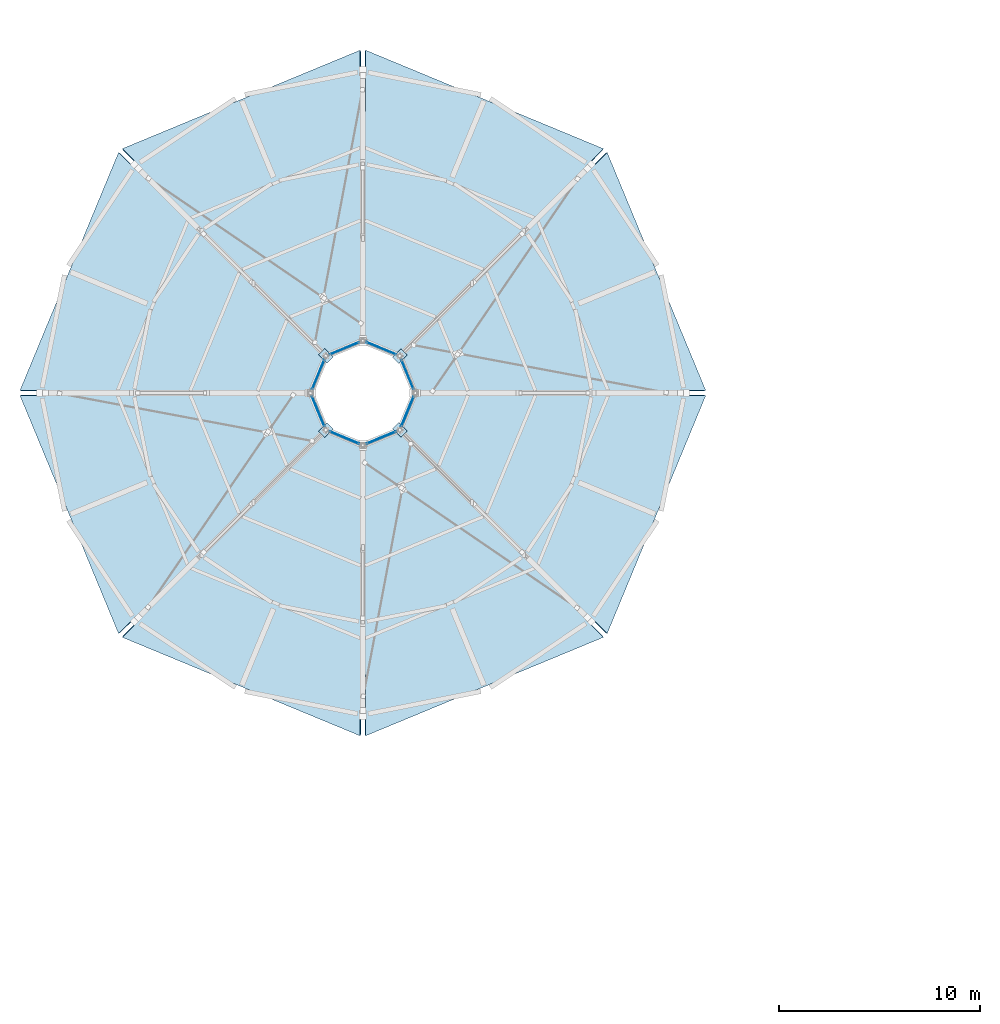
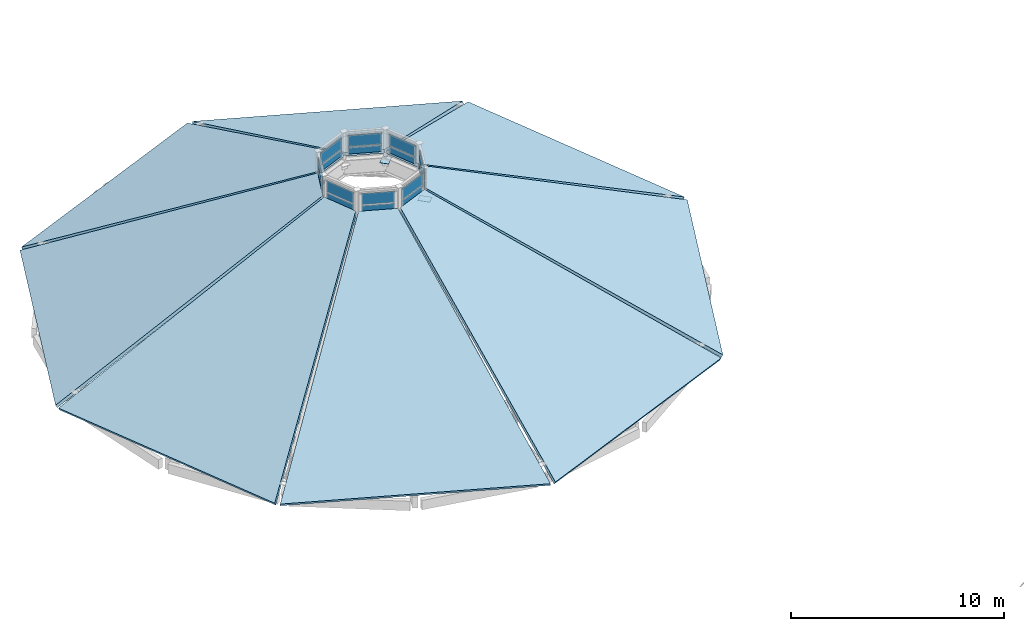
# One storey, part 45 of 66: 20 plates, 8 slabs, 9 elements without a shape of their own.
"""IFC4 building model written with IfcOpenShell, lengths in metres."""

from ifc_helpers import new_model, si_unit, direction, frame, origin, origin_2d, place, context, subcontext, project, spatial, polyline, rectangle, outline, extrude, material, layer, layer_set, type_object, element, aggregate, save


model = new_model("IFC4")

# Units and contexts
model_context = context("Model", 3, precision=1e-05, world=origin(), true_north=direction((0.0, 1.0)))
body_context = subcontext(model_context, "Body", "Model", "MODEL_VIEW")
ifc_project = project(units=[si_unit("LENGTHUNIT", "METRE"), si_unit("AREAUNIT", "SQUARE_METRE"), si_unit("VOLUMEUNIT", "CUBIC_METRE"), si_unit("PLANEANGLEUNIT", "RADIAN"), si_unit("MASSUNIT", "GRAM", prefix="KILO")], contexts=[model_context])

# Site, building, storey
site_placement = place(None, origin())
site = spatial("IfcSite", under=ifc_project, at=site_placement, CompositionType="ELEMENT")
building_placement = place(site_placement, origin())
building = spatial("IfcBuilding", under=site, at=building_placement, Name="Caldaven Crescent School", CompositionType="ELEMENT")
storey_placement = place(building_placement, frame((0.0, 0.0, 8.159912109375)))
storey = spatial("IfcBuildingStorey", under=building, at=storey_placement, Name="L02", CompositionType="ELEMENT", Elevation=8.159912109375)

# Curtain wall, plates
ifc_material_1 = material(Name="Anodised aluminium AA 6063-T6 and low-E double glazing", Category="aluminium")
ifc_layer_1 = layer(ifc_material_1, 0.2099609375)
ifc_layer_set_1 = layer_set([ifc_layer_1], Name="Anodised aluminium AA 6063-T6 and low-E double glazing")
curtain_wall_type_1 = type_object("IfcCurtainWallType", Name="CW-SYS3", PredefinedType="NOTDEFINED", material=ifc_layer_set_1)
curtain_wall_1_placement = place(storey_placement, origin())
curtain_wall_1 = element("IfcCurtainWall", 1, at=curtain_wall_1_placement, inside=storey, type_object=curtain_wall_type_1, Name="CW-L02-073", PredefinedType="NOTDEFINED")
ifc_material_2 = material(Name="Tempered low-E double glazing IGU", Category="glass")
ifc_layer_2 = layer(ifc_material_2, 0.028076171875)
ifc_layer_set_2 = layer_set([ifc_layer_2], Name="Tempered low-E double glazing IGU")
plate_type_1 = type_object("IfcPlateType", Name="PLT-CWP02", PredefinedType="CURTAIN_PANEL", material=ifc_layer_set_2)
plate_1_placement = place(storey_placement, frame((25.71923828125, 99.419189453125, 6.865234375), z_axis=(0.0, 0.0, 1.0), x_axis=(-0.382683210876, 0.923879624255, 0.0)))
plate_1 = element("IfcPlate", 2, at=plate_1_placement, type_object=plate_type_1, Name="CW3 panel 1.1", PredefinedType="CURTAIN_PANEL", context=body_context, shape_type="SweptSolid", body=[
    extrude(rectangle(XDim=1.570068359375, YDim=0.028076171875, at=origin_2d()), origin(), (0.0, 0.0, 1.0), 0.427490234375),
])
plate_2_placement = place(storey_placement, frame((25.71923828125, 99.419189453125, 7.357666015625), z_axis=(0.0, 0.0, 1.0), x_axis=(-0.382683210876, 0.923879624255, 0.0)))
plate_2 = element("IfcPlate", 3, at=plate_2_placement, type_object=plate_type_1, Name="CW3 panel 1.2", PredefinedType="CURTAIN_PANEL", context=body_context, shape_type="SweptSolid", body=[
    extrude(rectangle(XDim=1.570068359375, YDim=0.028076171875, at=origin_2d()), origin(), (0.0, 0.0, 1.0), 0.62744140625),
])
aggregate(curtain_wall_1, [plate_1, plate_2])

ifc_layer_3 = layer(ifc_material_1, 0.22998046875)
ifc_layer_set_3 = layer_set([ifc_layer_3], Name="Anodised aluminium AA 6063-T6 and low-E double glazing")
curtain_wall_type_2 = type_object("IfcCurtainWallType", Name="CW-SYS4", PredefinedType="NOTDEFINED", material=ifc_layer_set_3)
curtain_wall_2_placement = place(storey_placement, origin())
curtain_wall_2 = element("IfcCurtainWall", 4, at=curtain_wall_2_placement, inside=storey, type_object=curtain_wall_type_2, Name="CW-L02-074", PredefinedType="NOTDEFINED")
ifc_layer_4 = layer(ifc_material_2, 0.030029296875)
ifc_layer_set_4 = layer_set([ifc_layer_4], Name="Tempered low-E double glazing IGU")
plate_type_2 = type_object("IfcPlateType", Name="PLT-CWP03", PredefinedType="CURTAIN_PANEL", material=ifc_layer_set_4)
plate_3_placement = place(storey_placement, frame((24.419189453125, 100.71923828125, 6.865234375), z_axis=(0.0, 0.0, 1.0), x_axis=(-0.923879624255, 0.382683210876, 0.0)))
plate_3 = element("IfcPlate", 5, at=plate_3_placement, type_object=plate_type_2, Name="CW4 panel 1.1", PredefinedType="CURTAIN_PANEL", context=body_context, shape_type="SweptSolid", body=[
    extrude(rectangle(XDim=1.58984375, YDim=0.030029296875, at=origin_2d()), origin(), (0.0, 0.0, 1.0), 0.427490234375),
])
plate_4_placement = place(storey_placement, frame((24.419189453125, 100.71923828125, 7.357666015625), z_axis=(0.0, 0.0, 1.0), x_axis=(-0.923879624255, 0.382683210876, 0.0)))
plate_4 = element("IfcPlate", 6, at=plate_4_placement, type_object=plate_type_2, Name="CW4 panel 1.2", PredefinedType="CURTAIN_PANEL", context=body_context, shape_type="SweptSolid", body=[
    extrude(rectangle(XDim=1.58984375, YDim=0.030029296875, at=origin_2d()), origin(), (0.0, 0.0, 1.0), 0.62744140625),
])
aggregate(curtain_wall_2, [plate_3, plate_4])

ifc_layer_5 = layer(ifc_material_1, 0.169921875)
ifc_layer_set_5 = layer_set([ifc_layer_5], Name="Anodised aluminium AA 6063-T6 and low-E double glazing")
curtain_wall_type_3 = type_object("IfcCurtainWallType", Name="CW-SYS1", PredefinedType="NOTDEFINED", material=ifc_layer_set_5)
curtain_wall_3_placement = place(storey_placement, origin())
curtain_wall_3 = element("IfcCurtainWall", 7, at=curtain_wall_3_placement, inside=storey, type_object=curtain_wall_type_3, Name="CW-L02-075", PredefinedType="NOTDEFINED")
ifc_layer_6 = layer(ifc_material_2, 0.031982421875)
ifc_layer_set_6 = layer_set([ifc_layer_6], Name="Tempered low-E double glazing IGU")
plate_type_3 = type_object("IfcPlateType", Name="PLT-CWP04", PredefinedType="CURTAIN_PANEL", material=ifc_layer_set_6)
plate_5_placement = place(storey_placement, frame((22.580810546875, 100.71923828125, 6.8701171875), z_axis=(0.0, 0.0, 1.0), x_axis=(-0.923879624255, -0.382683210876, 0.0)))
plate_5 = element("IfcPlate", 8, at=plate_5_placement, type_object=plate_type_3, Name="CW1 panel 1.1", PredefinedType="CURTAIN_PANEL", context=body_context, shape_type="SweptSolid", body=[
    extrude(rectangle(XDim=1.579833984375, YDim=0.031982421875, at=origin_2d()), origin(), (0.0, 0.0, 1.0), 0.419921875),
])
plate_6_placement = place(storey_placement, frame((22.580810546875, 100.71923828125, 7.360107421875), z_axis=(0.0, 0.0, 1.0), x_axis=(-0.923879624255, -0.382683210876, 0.0)))
plate_6 = element("IfcPlate", 9, at=plate_6_placement, type_object=plate_type_3, Name="CW1 panel 1.2", PredefinedType="CURTAIN_PANEL", context=body_context, shape_type="SweptSolid", body=[
    extrude(rectangle(XDim=1.579833984375, YDim=0.031982421875, at=origin_2d()), origin(), (0.0, 0.0, 1.0), 0.6201171875),
])
aggregate(curtain_wall_3, [plate_5, plate_6])

ifc_layer_7 = layer(ifc_material_1, 0.18994140625)
ifc_layer_set_7 = layer_set([ifc_layer_7], Name="Anodised aluminium AA 6063-T6 and low-E double glazing")
curtain_wall_type_4 = type_object("IfcCurtainWallType", Name="CW-SYS2", PredefinedType="NOTDEFINED", material=ifc_layer_set_7)
curtain_wall_4_placement = place(storey_placement, origin())
curtain_wall_4 = element("IfcCurtainWall", 10, at=curtain_wall_4_placement, inside=storey, type_object=curtain_wall_type_4, Name="CW-L02-076", PredefinedType="NOTDEFINED")
ifc_layer_8 = layer(ifc_material_2, 0.033935546875)
ifc_layer_set_8 = layer_set([ifc_layer_8], Name="Tempered low-E double glazing IGU")
plate_type_4 = type_object("IfcPlateType", Name="PLT-CWP05", PredefinedType="CURTAIN_PANEL", material=ifc_layer_set_8)
plate_7_placement = place(storey_placement, frame((21.28076171875, 99.419189453125, 6.8701171875), z_axis=(0.0, 0.0, 1.0), x_axis=(-0.382683210876, -0.923879624255, 0.0)))
plate_7 = element("IfcPlate", 11, at=plate_7_placement, type_object=plate_type_4, Name="CW2 panel 1.1", PredefinedType="CURTAIN_PANEL", context=body_context, shape_type="SweptSolid", body=[
    extrude(rectangle(XDim=1.570068359375, YDim=0.033935546875, at=origin_2d()), origin(), (0.0, 0.0, 1.0), 0.419921875),
])
plate_8_placement = place(storey_placement, frame((21.28076171875, 99.419189453125, 7.360107421875), z_axis=(0.0, 0.0, 1.0), x_axis=(-0.382683210876, -0.923879624255, 0.0)))
plate_8 = element("IfcPlate", 12, at=plate_8_placement, type_object=plate_type_4, Name="CW2 panel 1.2", PredefinedType="CURTAIN_PANEL", context=body_context, shape_type="SweptSolid", body=[
    extrude(rectangle(XDim=1.570068359375, YDim=0.033935546875, at=origin_2d()), origin(), (0.0, 0.0, 1.0), 0.6201171875),
])
aggregate(curtain_wall_4, [plate_7, plate_8])

curtain_wall_5_placement = place(storey_placement, origin())
curtain_wall_5 = element("IfcCurtainWall", 13, at=curtain_wall_5_placement, inside=storey, type_object=curtain_wall_type_1, Name="CW-L02-077", PredefinedType="NOTDEFINED")
ifc_layer_9 = layer(ifc_material_2, 0.035888671875)
ifc_layer_set_9 = layer_set([ifc_layer_9], Name="Tempered low-E double glazing IGU")
plate_type_5 = type_object("IfcPlateType", Name="PLT-CWP06", PredefinedType="CURTAIN_PANEL", material=ifc_layer_set_9)
plate_9_placement = place(storey_placement, frame((21.28076171875, 97.580810546875, 6.860107421875), z_axis=(0.0, 0.0, 1.0), x_axis=(0.382683210876, -0.923879624255, 0.0)))
plate_9 = element("IfcPlate", 14, at=plate_9_placement, type_object=plate_type_5, Name="CW3 panel 1.1", PredefinedType="CURTAIN_PANEL", context=body_context, shape_type="SweptSolid", body=[
    extrude(rectangle(XDim=1.58984375, YDim=0.035888671875, at=origin_2d()), origin(), (0.0, 0.0, 1.0), 0.43505859375),
])
plate_10_placement = place(storey_placement, frame((21.28076171875, 97.580810546875, 7.35498046875), z_axis=(0.0, 0.0, 1.0), x_axis=(0.382683210876, -0.923879624255, 0.0)))
plate_10 = element("IfcPlate", 15, at=plate_10_placement, type_object=plate_type_5, Name="CW3 panel 1.2", PredefinedType="CURTAIN_PANEL", context=body_context, shape_type="SweptSolid", body=[
    extrude(rectangle(XDim=1.58984375, YDim=0.035888671875, at=origin_2d()), origin(), (0.0, 0.0, 1.0), 0.635009765625),
])
aggregate(curtain_wall_5, [plate_9, plate_10])

curtain_wall_6_placement = place(storey_placement, origin())
curtain_wall_6 = element("IfcCurtainWall", 16, at=curtain_wall_6_placement, inside=storey, type_object=curtain_wall_type_2, Name="CW-L02-078", PredefinedType="NOTDEFINED")
ifc_layer_10 = layer(ifc_material_2, 0.0380859375)
ifc_layer_set_10 = layer_set([ifc_layer_10], Name="Tempered low-E double glazing IGU")
plate_type_6 = type_object("IfcPlateType", Name="PLT-CWP07", PredefinedType="CURTAIN_PANEL", material=ifc_layer_set_10)
plate_11_placement = place(storey_placement, frame((22.580810546875, 96.28076171875, 6.860107421875), z_axis=(0.0, 0.0, 1.0), x_axis=(0.923879624255, -0.382683210876, 0.0)))
plate_11 = element("IfcPlate", 17, at=plate_11_placement, type_object=plate_type_6, Name="CW4 panel 1.1", PredefinedType="CURTAIN_PANEL", context=body_context, shape_type="SweptSolid", body=[
    extrude(rectangle(XDim=1.579833984375, YDim=0.0380859375, at=origin_2d()), origin(), (0.0, 0.0, 1.0), 0.43505859375),
])
plate_12_placement = place(storey_placement, frame((22.580810546875, 96.28076171875, 7.35498046875), z_axis=(0.0, 0.0, 1.0), x_axis=(0.923879624255, -0.382683210876, 0.0)))
plate_12 = element("IfcPlate", 18, at=plate_12_placement, type_object=plate_type_6, Name="CW4 panel 1.2", PredefinedType="CURTAIN_PANEL", context=body_context, shape_type="SweptSolid", body=[
    extrude(rectangle(XDim=1.579833984375, YDim=0.0380859375, at=origin_2d()), origin(), (0.0, 0.0, 1.0), 0.635009765625),
])
aggregate(curtain_wall_6, [plate_11, plate_12])

curtain_wall_7_placement = place(storey_placement, origin())
curtain_wall_7 = element("IfcCurtainWall", 19, at=curtain_wall_7_placement, inside=storey, type_object=curtain_wall_type_3, Name="CW-L02-079", PredefinedType="NOTDEFINED")
ifc_layer_11 = layer(ifc_material_2, 0.0400390625)
ifc_layer_set_11 = layer_set([ifc_layer_11], Name="Tempered low-E double glazing IGU")
plate_type_7 = type_object("IfcPlateType", Name="PLT-CWP08", PredefinedType="CURTAIN_PANEL", material=ifc_layer_set_11)
plate_13_placement = place(storey_placement, frame((24.419189453125, 96.28076171875, 6.865234375), z_axis=(0.0, 0.0, 1.0), x_axis=(0.923879624255, 0.382683210876, 0.0)))
plate_13 = element("IfcPlate", 20, at=plate_13_placement, type_object=plate_type_7, Name="CW1 panel 1.1", PredefinedType="CURTAIN_PANEL", context=body_context, shape_type="SweptSolid", body=[
    extrude(rectangle(XDim=1.570068359375, YDim=0.0400390625, at=origin_2d()), origin(), (0.0, 0.0, 1.0), 0.427490234375),
])
plate_14_placement = place(storey_placement, frame((24.419189453125, 96.28076171875, 7.357666015625), z_axis=(0.0, 0.0, 1.0), x_axis=(0.923879624255, 0.382683210876, 0.0)))
plate_14 = element("IfcPlate", 21, at=plate_14_placement, type_object=plate_type_7, Name="CW1 panel 1.2", PredefinedType="CURTAIN_PANEL", context=body_context, shape_type="SweptSolid", body=[
    extrude(rectangle(XDim=1.570068359375, YDim=0.0400390625, at=origin_2d()), origin(), (0.0, 0.0, 1.0), 0.62744140625),
])
aggregate(curtain_wall_7, [plate_13, plate_14])

curtain_wall_8_placement = place(storey_placement, origin())
curtain_wall_8 = element("IfcCurtainWall", 22, at=curtain_wall_8_placement, inside=storey, type_object=curtain_wall_type_4, Name="CW-L02-080", PredefinedType="NOTDEFINED")
ifc_layer_12 = layer(ifc_material_2, 0.0419921875)
ifc_layer_set_12 = layer_set([ifc_layer_12], Name="Tempered low-E double glazing IGU")
plate_type_8 = type_object("IfcPlateType", Name="PLT-CWP09", PredefinedType="CURTAIN_PANEL", material=ifc_layer_set_12)
plate_15_placement = place(storey_placement, frame((25.71923828125, 97.580810546875, 6.865234375), z_axis=(0.0, 0.0, 1.0), x_axis=(0.382683210876, 0.923879624255, 0.0)))
plate_15 = element("IfcPlate", 23, at=plate_15_placement, type_object=plate_type_8, Name="CW2 panel 1.1", PredefinedType="CURTAIN_PANEL", context=body_context, shape_type="SweptSolid", body=[
    extrude(rectangle(XDim=1.58984375, YDim=0.0419921875, at=origin_2d()), origin(), (0.0, 0.0, 1.0), 0.427490234375),
])
plate_16_placement = place(storey_placement, frame((25.71923828125, 97.580810546875, 7.357666015625), z_axis=(0.0, 0.0, 1.0), x_axis=(0.382683210876, 0.923879624255, 0.0)))
plate_16 = element("IfcPlate", 24, at=plate_16_placement, type_object=plate_type_8, Name="CW2 panel 1.2", PredefinedType="CURTAIN_PANEL", context=body_context, shape_type="SweptSolid", body=[
    extrude(rectangle(XDim=1.58984375, YDim=0.0419921875, at=origin_2d()), origin(), (0.0, 0.0, 1.0), 0.62744140625),
])
aggregate(curtain_wall_8, [plate_15, plate_16])

# Plates
ifc_material_3 = material(Name="Steel ASTM A572 Grade 50", Category="steel")
ifc_layer_13 = layer(ifc_material_3, 0.02001953125)
ifc_layer_set_13 = layer_set([ifc_layer_13], Name="Steel ASTM A572 Grade 50")
plate_type_9 = type_object("IfcPlateType", Name="PLT-GUS4", PredefinedType="USERDEFINED", material=ifc_layer_set_13)
for number, where, z_axis, x_axis, name in (
    (25, (25.33837890625, 100.33837890625, 6.400146484375), (0.0, 0.0, 1.0), (0.707106781187, 0.707106781187, 0.0), "GUS-V2-01-RNG"),
    (26, (21.66162109375, 100.33837890625, 6.400146484375), (0.0, 0.0, 1.0), (-0.707106781187, 0.707106781187, 0.0), "GUS-V2-03-RNG"),
    (27, (21.66162109375, 96.66162109375, 6.400146484375), (0.0, 0.0, 1.0), (-0.707106781187, -0.707106781187, 0.0), "GUS-V2-05-RNG"),
    (28, (25.33837890625, 96.66162109375, 6.400146484375), (0.0, 0.0, 1.0), (0.707106781187, -0.707106781187, 0.0), "GUS-V2-07-RNG"),
):
    element("IfcPlate", number, at=place(storey_placement, frame(where, z_axis=z_axis, x_axis=x_axis)), inside=storey, type_object=plate_type_9, Name=name, ObjectType="GUSSET_PLATE", PredefinedType="USERDEFINED", context=body_context, shape_type="SweptSolid", body=[
        extrude(rectangle(XDim=0.60009765625, YDim=0.43994140625, at=origin_2d()), origin(), (0.0, 0.0, 1.0), 0.02001953125),
    ])

# Roof, slabs
roof_placement = place(storey_placement, origin())
roof = element("IfcRoof", 29, at=roof_placement, inside=storey, Name="ROOF-V2", PredefinedType="PAVILION_ROOF")
ifc_material_4 = material(Name="Cross-laminated timber CLT C24", Category="wood")
ifc_layer_14 = layer(ifc_material_4, 0.169921875)
ifc_layer_set_14 = layer_set([ifc_layer_14], Name="Cross-laminated timber CLT C24")
slab_type = type_object("IfcSlabType", Name="SLB-RS2", PredefinedType="ROOF", material=ifc_layer_set_14)
slab_1_placement = place(storey_placement, frame((40.549560546875, 98.6337890625, 0.0), z_axis=(0.428342687979, 0.177426392807, 0.88602619419), x_axis=(-0.382689262579, 0.923877117533, 2.215547e-06)))
slab_1 = element("IfcSlab", 30, at=slab_1_placement, type_object=slab_type, Name="SLB-RF-V2-00", PredefinedType="ROOF", context=body_context, shape_type="SweptSolid", body=[
    extrude(outline(polyline([(0.0, 0.0), (12.801917087665672, 8.881784197001252e-16), (7.337045281766213, 15.098042591213982), (5.465083417260981, 15.098112712436683), (0.0, 0.0)])), origin(), (0.0, 0.0, -1.0), 0.169921875),
])
slab_2_placement = place(storey_placement, frame((35.461181640625, 110.650390625, 0.0), z_axis=(0.177426392807, 0.428342687979, 0.88602619419), x_axis=(-0.923877117533, 0.382689262579, -2.215547e-06)))
slab_2 = element("IfcSlab", 31, at=slab_2_placement, type_object=slab_type, Name="SLB-RF-V2-01", PredefinedType="ROOF", context=body_context, shape_type="SweptSolid", body=[
    extrude(outline(polyline([(0.0, 0.0), (12.801917087665672, -8.881784197001252e-16), (7.336833670404689, 15.09811271243668), (5.464871805899458, 15.098042591213982), (0.0, 0.0)])), origin(), (0.0, 0.0, -1.0), 0.169921875),
])
slab_3_placement = place(storey_placement, frame((23.3662109375, 115.549560546875, 0.0), z_axis=(-0.177426392807, 0.428342687979, 0.88602619419), x_axis=(-0.923877117533, -0.382689262579, 2.215547e-06)))
slab_3 = element("IfcSlab", 32, at=slab_3_placement, type_object=slab_type, Name="SLB-RF-V2-02", PredefinedType="ROOF", context=body_context, shape_type="SweptSolid", body=[
    extrude(outline(polyline([(0.0, 0.0), (12.801917087665672, 8.881784197001252e-16), (7.337045281766213, 15.098042591213982), (5.465083417260981, 15.098112712436683), (0.0, 0.0)])), origin(), (0.0, 0.0, -1.0), 0.169921875),
])
slab_4_placement = place(storey_placement, frame((11.349609375, 110.461181640625, 0.0), z_axis=(-0.428342687979, 0.177426392807, 0.88602619419), x_axis=(-0.382689262579, -0.923877117533, -2.215547e-06)))
slab_4 = element("IfcSlab", 33, at=slab_4_placement, type_object=slab_type, Name="SLB-RF-V2-03", PredefinedType="ROOF", context=body_context, shape_type="SweptSolid", body=[
    extrude(outline(polyline([(0.0, 0.0), (12.801917087665672, -8.881784197001252e-16), (7.336833670404689, 15.09811271243668), (5.464871805899458, 15.098042591213982), (0.0, 0.0)])), origin(), (0.0, 0.0, -1.0), 0.169921875),
])
slab_5_placement = place(storey_placement, frame((6.450439453125, 98.3662109375, 0.0), z_axis=(-0.428342687979, -0.177426392807, 0.88602619419), x_axis=(0.382689262579, -0.923877117533, 2.215547e-06)))
slab_5 = element("IfcSlab", 34, at=slab_5_placement, type_object=slab_type, Name="SLB-RF-V2-04", PredefinedType="ROOF", context=body_context, shape_type="SweptSolid", body=[
    extrude(outline(polyline([(0.0, 0.0), (12.801917087665672, 8.881784197001252e-16), (7.337045281766213, 15.098042591213982), (5.465083417260981, 15.098112712436683), (0.0, 0.0)])), origin(), (0.0, 0.0, -1.0), 0.169921875),
])
slab_6_placement = place(storey_placement, frame((11.538818359375, 86.349609375, 0.0), z_axis=(-0.177426392807, -0.428342687979, 0.88602619419), x_axis=(0.923877117533, -0.382689262579, -2.215547e-06)))
slab_6 = element("IfcSlab", 35, at=slab_6_placement, type_object=slab_type, Name="SLB-RF-V2-05", PredefinedType="ROOF", context=body_context, shape_type="SweptSolid", body=[
    extrude(outline(polyline([(0.0, 0.0), (12.801917087665672, -8.881784197001252e-16), (7.336833670404689, 15.09811271243668), (5.464871805899458, 15.098042591213982), (0.0, 0.0)])), origin(), (0.0, 0.0, -1.0), 0.169921875),
])
slab_7_placement = place(storey_placement, frame((23.6337890625, 81.450439453125, 0.0), z_axis=(0.177426392807, -0.428342687979, 0.88602619419), x_axis=(0.923877117533, 0.382689262579, 2.215547e-06)))
slab_7 = element("IfcSlab", 36, at=slab_7_placement, type_object=slab_type, Name="SLB-RF-V2-06", PredefinedType="ROOF", context=body_context, shape_type="SweptSolid", body=[
    extrude(outline(polyline([(0.0, 0.0), (12.801917087665672, 8.881784197001252e-16), (7.337045281766213, 15.098042591213982), (5.465083417260981, 15.098112712436683), (0.0, 0.0)])), origin(), (0.0, 0.0, -1.0), 0.169921875),
])
slab_8_placement = place(storey_placement, frame((35.650390625, 86.538818359375, 0.0), z_axis=(0.428342687979, -0.177426392807, 0.88602619419), x_axis=(0.382689262579, 0.923877117533, -2.215547e-06)))
slab_8 = element("IfcSlab", 37, at=slab_8_placement, type_object=slab_type, Name="SLB-RF-V2-07", PredefinedType="ROOF", context=body_context, shape_type="SweptSolid", body=[
    extrude(outline(polyline([(0.0, 0.0), (12.801917087665672, -8.881784197001252e-16), (7.336833670404689, 15.09811271243668), (5.464871805899458, 15.098042591213982), (0.0, 0.0)])), origin(), (0.0, 0.0, -1.0), 0.169921875),
])
aggregate(roof, [slab_1, slab_2, slab_3, slab_4, slab_5, slab_6, slab_7, slab_8])

save(model, "model.ifc")
